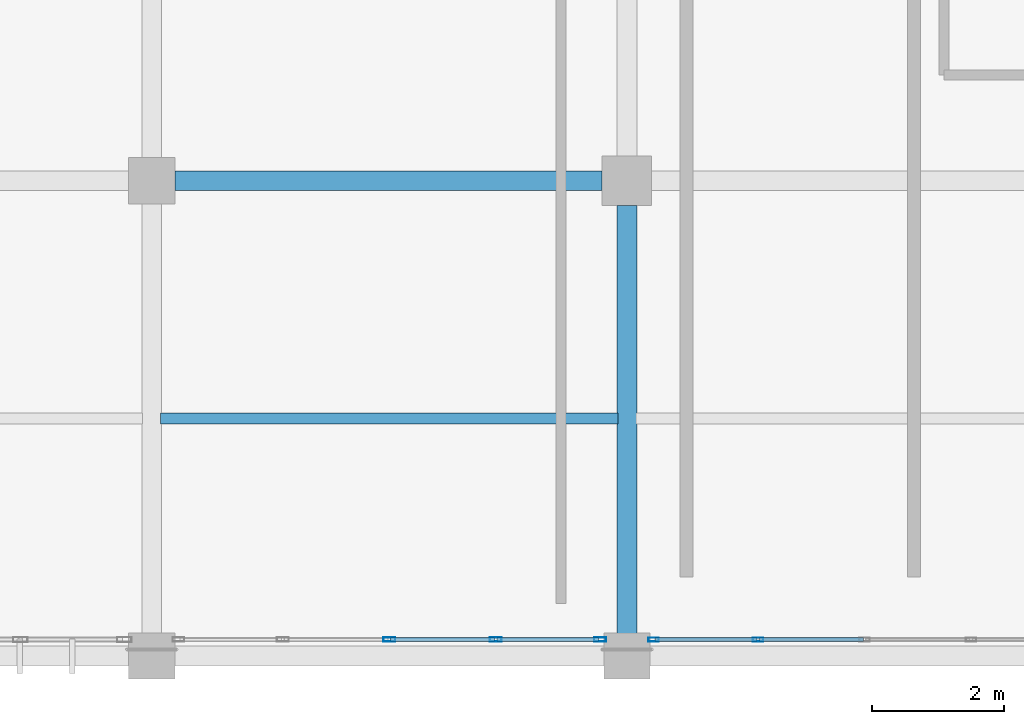
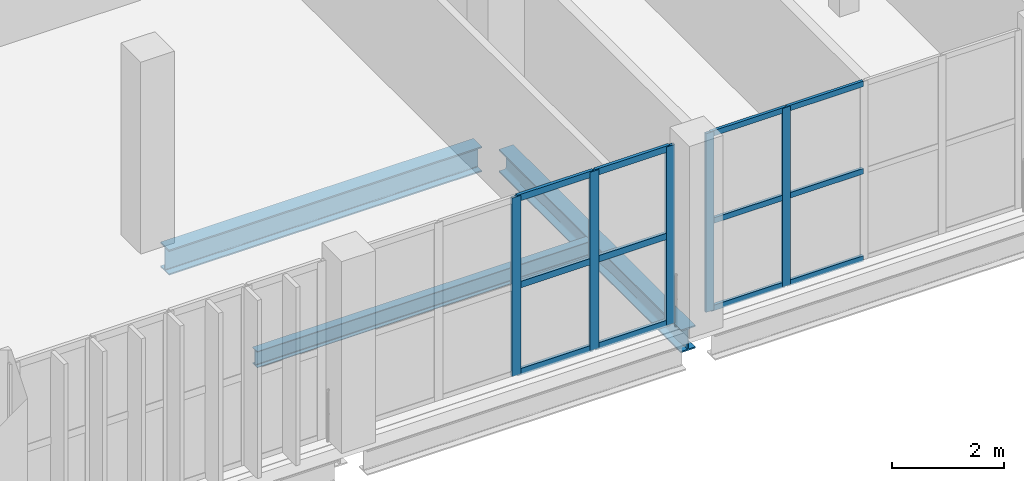
# One storey, part 39 of 130: 17 members, 3 beams, 2 elements without a shape of their own.
"""IFC4 building model written with IfcOpenShell, lengths in metres."""

from ifc_helpers import new_model, si_unit, direction, frame, origin, origin_2d, place, context, subcontext, project, spatial, hollow_rectangle, i_section, extrude, material, material_profile, profile_set, type_object, element, aggregate, save


model = new_model("IFC4")

# Units and contexts
model_context = context("Model", 3, precision=1e-05, world=origin(), true_north=direction((0.0, 1.0)))
body_context = subcontext(model_context, "Body", "Model", "MODEL_VIEW")
ifc_project = project(units=[si_unit("LENGTHUNIT", "METRE"), si_unit("AREAUNIT", "SQUARE_METRE"), si_unit("VOLUMEUNIT", "CUBIC_METRE"), si_unit("PLANEANGLEUNIT", "RADIAN"), si_unit("MASSUNIT", "GRAM", prefix="KILO")], contexts=[model_context])

# Site, building, storey
site_placement = place(None, origin())
site = spatial("IfcSite", under=ifc_project, at=site_placement, CompositionType="ELEMENT")
building_placement = place(site_placement, origin())
building = spatial("IfcBuilding", under=site, at=building_placement, Name="Qandorah Velis Arena", CompositionType="ELEMENT")
storey_placement = place(building_placement, frame((0.0, 0.0, 9.60009765625)))
storey = spatial("IfcBuildingStorey", under=building, at=storey_placement, Name="L02", CompositionType="ELEMENT", Elevation=9.60009765625)

# Curtain wall, members
ifc_material_1 = material(Name="Solar-control low-E double glazing", Category="glass")
curtain_wall_type_1 = type_object("IfcCurtainWallType", Name="ARC-CW-SYS19", PredefinedType="USERDEFINED", material=ifc_material_1)
curtain_wall_1_placement = place(storey_placement, origin())
curtain_wall_1 = element("IfcCurtainWall", 1, at=curtain_wall_1_placement, inside=storey, type_object=curtain_wall_type_1, Name="Unitised curtain wall L02-067", ObjectType="UNITISED CURTAIN WALL", PredefinedType="USERDEFINED")
ifc_material_2 = material(Name="Champagne-bronze anodized aluminium 6063-T6", Category="aluminium")
ifc_material_profile_1 = material_profile(ifc_material_2, hollow_rectangle(XDim=0.06005859375, YDim=0.159912109375, WallThickness=0.00341796875, at=origin_2d()), Name="ALU MULLION 60x160")
ifc_profile_set_1 = profile_set([ifc_material_profile_1], Name="Champagne-bronze anodized aluminium 6063-T6")
member_type_1 = type_object("IfcMemberType", Name="ARC-CWM-160", PredefinedType="MULLION", material=ifc_profile_set_1)
member_1_placement = place(storey_placement, frame((101.205078125, 0.25, -0.01513671875), z_axis=(0.0, 0.0, 1.0), x_axis=(0.0, 1.0, 0.0)))
member_1 = element("IfcMember", 2, at=member_1_placement, type_object=member_type_1, Name="CW19 mullion 1", PredefinedType="MULLION", context=body_context, shape_type="SweptSolid", body=[
    extrude(hollow_rectangle(XDim=0.06005859375, YDim=0.159912109375, WallThickness=0.00341796875, at=origin_2d()), origin(), (0.0, 0.0, 1.0), 3.91015625),
])
member_2_placement = place(storey_placement, frame((102.78759765625, 0.25, -0.01513671875), z_axis=(0.0, 0.0, 1.0), x_axis=(0.0, 1.0, 0.0)))
member_2 = element("IfcMember", 3, at=member_2_placement, type_object=member_type_1, Name="CW19 mullion 2", PredefinedType="MULLION", context=body_context, shape_type="SweptSolid", body=[
    extrude(hollow_rectangle(XDim=0.06005859375, YDim=0.159912109375, WallThickness=0.00341796875, at=origin_2d()), origin(), (0.0, 0.0, 1.0), 3.91015625),
])

curtain_wall_type_2 = type_object("IfcCurtainWallType", Name="ARC-CW-SYS18", PredefinedType="USERDEFINED", material=ifc_material_1)
curtain_wall_2_placement = place(storey_placement, origin())
curtain_wall_2 = element("IfcCurtainWall", 4, at=curtain_wall_2_placement, inside=storey, type_object=curtain_wall_type_2, Name="Unitised curtain wall L02-066", ObjectType="UNITISED CURTAIN WALL", PredefinedType="USERDEFINED")
ifc_material_profile_2 = material_profile(ifc_material_2, hollow_rectangle(XDim=0.06494140625, YDim=0.179931640625, WallThickness=0.00341796875, at=origin_2d()), Name="ALU MULLION 65x180")
ifc_profile_set_2 = profile_set([ifc_material_profile_2], Name="Champagne-bronze anodized aluminium 6063-T6")
member_type_2 = type_object("IfcMemberType", Name="ARC-CWM-180", PredefinedType="MULLION", material=ifc_profile_set_2)
member_3_placement = place(storey_placement, frame((97.199951171875, 0.25, -0.01513671875), z_axis=(0.0, 0.0, 1.0), x_axis=(0.0, 1.0, 0.0)))
member_3 = element("IfcMember", 5, at=member_3_placement, type_object=member_type_2, Name="CW18 mullion 3", PredefinedType="MULLION", context=body_context, shape_type="SweptSolid", body=[
    extrude(hollow_rectangle(XDim=0.06494140625, YDim=0.179931640625, WallThickness=0.00341796875, at=origin_2d()), origin(), (0.0, 0.0, 1.0), 3.91015625),
])
member_4_placement = place(storey_placement, frame((98.8125, 0.25, -0.01513671875), z_axis=(0.0, 0.0, 1.0), x_axis=(0.0, 1.0, 0.0)))
member_4 = element("IfcMember", 6, at=member_4_placement, type_object=member_type_2, Name="CW18 mullion 4", PredefinedType="MULLION", context=body_context, shape_type="SweptSolid", body=[
    extrude(hollow_rectangle(XDim=0.06494140625, YDim=0.179931640625, WallThickness=0.00341796875, at=origin_2d()), origin(), (0.0, 0.0, 1.0), 3.91015625),
])
member_5_placement = place(storey_placement, frame((100.392578125, 0.25, -0.01513671875), z_axis=(0.0, 0.0, 1.0), x_axis=(0.0, 1.0, 0.0)))
member_5 = element("IfcMember", 7, at=member_5_placement, type_object=member_type_2, Name="CW18 mullion 5", PredefinedType="MULLION", context=body_context, shape_type="SweptSolid", body=[
    extrude(hollow_rectangle(XDim=0.06494140625, YDim=0.179931640625, WallThickness=0.00341796875, at=origin_2d()), origin(), (0.0, 0.0, 1.0), 3.91015625),
])

# Member
ifc_material_profile_3 = material_profile(ifc_material_2, hollow_rectangle(XDim=0.06005859375, YDim=0.1201171875, WallThickness=0.0029296875, at=origin_2d()), Name="ALU TRANSOM 60x120")
ifc_profile_set_3 = profile_set([ifc_material_profile_3], Name="Champagne-bronze anodized aluminium 6063-T6")
member_type_3 = type_object("IfcMemberType", Name="ARC-CWT-120", PredefinedType="USERDEFINED", material=ifc_profile_set_3)
member_6_placement = place(storey_placement, frame((101.222900390625, 0.25, 0.02978515625), z_axis=(1.0, 0.0, 0.0), x_axis=(0.0, 1.0, 0.0)))
member_6 = element("IfcMember", 8, at=member_6_placement, type_object=member_type_3, Name="CW19 transom 1.1", ObjectType="TRANSOM", PredefinedType="USERDEFINED", context=body_context, shape_type="SweptSolid", body=[
    extrude(hollow_rectangle(XDim=0.06005859375, YDim=0.1201171875, WallThickness=0.0029296875, at=origin_2d()), origin(), (0.0, 0.0, 1.0), 1.546630859375),
])

member_7_placement = place(storey_placement, frame((101.222900390625, 0.25, 1.93994140625), z_axis=(1.0, 0.0, 0.0), x_axis=(0.0, 1.0, 0.0)))
member_7 = element("IfcMember", 9, at=member_7_placement, type_object=member_type_3, Name="CW19 transom 1.2", ObjectType="TRANSOM", PredefinedType="USERDEFINED", context=body_context, shape_type="SweptSolid", body=[
    extrude(hollow_rectangle(XDim=0.06005859375, YDim=0.1201171875, WallThickness=0.0029296875, at=origin_2d()), origin(), (0.0, 0.0, 1.0), 1.546630859375),
])

member_8_placement = place(storey_placement, frame((101.222900390625, 0.25, 3.849853515625), z_axis=(1.0, 0.0, 0.0), x_axis=(0.0, 1.0, 0.0)))
member_8 = element("IfcMember", 10, at=member_8_placement, type_object=member_type_3, Name="CW19 transom 1.3", ObjectType="TRANSOM", PredefinedType="USERDEFINED", context=body_context, shape_type="SweptSolid", body=[
    extrude(hollow_rectangle(XDim=0.06005859375, YDim=0.1201171875, WallThickness=0.0029296875, at=origin_2d()), origin(), (0.0, 0.0, 1.0), 1.546630859375),
])

member_9_placement = place(storey_placement, frame((102.805419921875, 0.25, 0.02978515625), z_axis=(1.0, 0.0, 0.0), x_axis=(0.0, 1.0, 0.0)))
member_9 = element("IfcMember", 11, at=member_9_placement, type_object=member_type_3, Name="CW19 transom 2.1", ObjectType="TRANSOM", PredefinedType="USERDEFINED", context=body_context, shape_type="SweptSolid", body=[
    extrude(hollow_rectangle(XDim=0.06005859375, YDim=0.1201171875, WallThickness=0.0029296875, at=origin_2d()), origin(), (0.0, 0.0, 1.0), 1.57666015625),
])

member_10_placement = place(storey_placement, frame((102.805419921875, 0.25, 1.93994140625), z_axis=(1.0, 0.0, 0.0), x_axis=(0.0, 1.0, 0.0)))
member_10 = element("IfcMember", 12, at=member_10_placement, type_object=member_type_3, Name="CW19 transom 2.2", ObjectType="TRANSOM", PredefinedType="USERDEFINED", context=body_context, shape_type="SweptSolid", body=[
    extrude(hollow_rectangle(XDim=0.06005859375, YDim=0.1201171875, WallThickness=0.0029296875, at=origin_2d()), origin(), (0.0, 0.0, 1.0), 1.57666015625),
])

member_11_placement = place(storey_placement, frame((102.805419921875, 0.25, 3.849853515625), z_axis=(1.0, 0.0, 0.0), x_axis=(0.0, 1.0, 0.0)))
member_11 = element("IfcMember", 13, at=member_11_placement, type_object=member_type_3, Name="CW19 transom 2.3", ObjectType="TRANSOM", PredefinedType="USERDEFINED", context=body_context, shape_type="SweptSolid", body=[
    extrude(hollow_rectangle(XDim=0.06005859375, YDim=0.1201171875, WallThickness=0.0029296875, at=origin_2d()), origin(), (0.0, 0.0, 1.0), 1.57666015625),
])

aggregate(curtain_wall_1, [member_1, member_2, member_6, member_7, member_8, member_9, member_10, member_11])

ifc_material_profile_4 = material_profile(ifc_material_2, hollow_rectangle(XDim=0.06494140625, YDim=0.139892578125, WallThickness=0.0029296875, at=origin_2d()), Name="ALU TRANSOM 65x140")
ifc_profile_set_4 = profile_set([ifc_material_profile_4], Name="Champagne-bronze anodized aluminium 6063-T6")
member_type_4 = type_object("IfcMemberType", Name="ARC-CWT-140", PredefinedType="USERDEFINED", material=ifc_profile_set_4)
member_12_placement = place(storey_placement, frame((97.220458984375, 0.25, 0.032470703125), z_axis=(1.0, 0.0, 0.0), x_axis=(0.0, 1.0, 0.0)))
member_12 = element("IfcMember", 14, at=member_12_placement, type_object=member_type_4, Name="CW18 transom 3.1", ObjectType="TRANSOM", PredefinedType="USERDEFINED", context=body_context, shape_type="SweptSolid", body=[
    extrude(hollow_rectangle(XDim=0.06494140625, YDim=0.139892578125, WallThickness=0.0029296875, at=origin_2d()), origin(), (0.0, 0.0, 1.0), 1.571533203125),
])

member_13_placement = place(storey_placement, frame((97.220458984375, 0.25, 1.93994140625), z_axis=(1.0, 0.0, 0.0), x_axis=(0.0, 1.0, 0.0)))
member_13 = element("IfcMember", 15, at=member_13_placement, type_object=member_type_4, Name="CW18 transom 3.2", ObjectType="TRANSOM", PredefinedType="USERDEFINED", context=body_context, shape_type="SweptSolid", body=[
    extrude(hollow_rectangle(XDim=0.06494140625, YDim=0.139892578125, WallThickness=0.0029296875, at=origin_2d()), origin(), (0.0, 0.0, 1.0), 1.571533203125),
])

member_14_placement = place(storey_placement, frame((97.220458984375, 0.25, 3.847412109375), z_axis=(1.0, 0.0, 0.0), x_axis=(0.0, 1.0, 0.0)))
member_14 = element("IfcMember", 16, at=member_14_placement, type_object=member_type_4, Name="CW18 transom 3.3", ObjectType="TRANSOM", PredefinedType="USERDEFINED", context=body_context, shape_type="SweptSolid", body=[
    extrude(hollow_rectangle(XDim=0.06494140625, YDim=0.139892578125, WallThickness=0.0029296875, at=origin_2d()), origin(), (0.0, 0.0, 1.0), 1.571533203125),
])

member_15_placement = place(storey_placement, frame((98.8330078125, 0.25, 0.032470703125), z_axis=(1.0, 0.0, 0.0), x_axis=(0.0, 1.0, 0.0)))
member_15 = element("IfcMember", 17, at=member_15_placement, type_object=member_type_4, Name="CW18 transom 4.1", ObjectType="TRANSOM", PredefinedType="USERDEFINED", context=body_context, shape_type="SweptSolid", body=[
    extrude(hollow_rectangle(XDim=0.06494140625, YDim=0.139892578125, WallThickness=0.0029296875, at=origin_2d()), origin(), (0.0, 0.0, 1.0), 1.5390625),
])

member_16_placement = place(storey_placement, frame((98.8330078125, 0.25, 1.93994140625), z_axis=(1.0, 0.0, 0.0), x_axis=(0.0, 1.0, 0.0)))
member_16 = element("IfcMember", 18, at=member_16_placement, type_object=member_type_4, Name="CW18 transom 4.2", ObjectType="TRANSOM", PredefinedType="USERDEFINED", context=body_context, shape_type="SweptSolid", body=[
    extrude(hollow_rectangle(XDim=0.06494140625, YDim=0.139892578125, WallThickness=0.0029296875, at=origin_2d()), origin(), (0.0, 0.0, 1.0), 1.5390625),
])

member_17_placement = place(storey_placement, frame((98.8330078125, 0.25, 3.847412109375), z_axis=(1.0, 0.0, 0.0), x_axis=(0.0, 1.0, 0.0)))
member_17 = element("IfcMember", 19, at=member_17_placement, type_object=member_type_4, Name="CW18 transom 4.3", ObjectType="TRANSOM", PredefinedType="USERDEFINED", context=body_context, shape_type="SweptSolid", body=[
    extrude(hollow_rectangle(XDim=0.06494140625, YDim=0.139892578125, WallThickness=0.0029296875, at=origin_2d()), origin(), (0.0, 0.0, 1.0), 1.5390625),
])

aggregate(curtain_wall_2, [member_3, member_4, member_5, member_12, member_13, member_14, member_15, member_16, member_17])

# Beams
ifc_material_3 = material(Name="Steel S355", Category="steel")
ifc_material_profile_5 = material_profile(ifc_material_3, i_section(OverallWidth=0.300048828125, OverallDepth=0.5, WebThickness=0.014404296875, FlangeThickness=0.028076171875, FilletRadius=0.027099609375, at=origin_2d()), Name="HEB 500")
ifc_profile_set_5 = profile_set([ifc_material_profile_5], Name="Steel S355")
beam_type_1 = type_object("IfcBeamType", Name="STR-BM-HEB500", PredefinedType="BEAM", material=ifc_profile_set_5)
beam_1_placement = place(storey_placement, frame((100.800048828125, 0.300048828125, -0.530029296875), z_axis=(0.0, 1.0, 0.0), x_axis=(-1.0, 0.0, 0.0)))
element("IfcBeam", 20, at=beam_1_placement, inside=storey, type_object=beam_type_1, Name="Primary floor girder L02 Y-284", PredefinedType="BEAM", context=body_context, shape_type="SweptSolid", body=[
    extrude(i_section(OverallWidth=0.300048828125, OverallDepth=0.5, WebThickness=0.014404296875, FlangeThickness=0.028076171875, FilletRadius=0.027099609375, at=origin_2d()), origin(), (0.0, 0.0, 1.0), 6.52490234375),
])
ifc_material_profile_6 = material_profile(ifc_material_3, i_section(OverallWidth=0.300048828125, OverallDepth=0.550048828125, WebThickness=0.014892578125, FlangeThickness=0.029052734375, FilletRadius=0.027099609375, at=origin_2d()), Name="HEB 550")
ifc_profile_set_6 = profile_set([ifc_material_profile_6], Name="Steel S355")
beam_type_2 = type_object("IfcBeamType", Name="STR-BM-HEB550", PredefinedType="BEAM", material=ifc_profile_set_6)
beam_2_placement = place(storey_placement, frame((93.949951171875, 7.199951171875, -0.55517578125), z_axis=(1.0, 0.0, 0.0), x_axis=(0.0, 1.0, 0.0)))
element("IfcBeam", 21, at=beam_2_placement, inside=storey, type_object=beam_type_2, Name="Primary floor girder L02 X-022", PredefinedType="BEAM", context=body_context, shape_type="SweptSolid", body=[
    extrude(i_section(OverallWidth=0.300048828125, OverallDepth=0.550048828125, WebThickness=0.014892578125, FlangeThickness=0.029052734375, FilletRadius=0.027099609375, at=origin_2d()), origin(), (0.0, 0.0, 1.0), 6.47509765625),
])
ifc_material_profile_7 = material_profile(ifc_material_3, i_section(OverallWidth=0.169921875, OverallDepth=0.360107421875, WebThickness=0.008056640625, FlangeThickness=0.0126953125, FilletRadius=0.01806640625, at=origin_2d()), Name="IPE 360")
ifc_profile_set_7 = profile_set([ifc_material_profile_7], Name="Steel S355")
beam_type_3 = type_object("IfcBeamType", Name="STR-JST-IPE360", PredefinedType="JOIST", material=ifc_profile_set_7)
beam_3_placement = place(storey_placement, frame((93.735107421875, 3.60009765625, -0.460205078125), z_axis=(1.0, 0.0, 0.0), x_axis=(0.0, 1.0, 0.0)))
element("IfcBeam", 22, at=beam_3_placement, inside=storey, type_object=beam_type_3, Name="Secondary floor joist L02-067", PredefinedType="JOIST", context=body_context, shape_type="SweptSolid", body=[
    extrude(i_section(OverallWidth=0.169921875, OverallDepth=0.360107421875, WebThickness=0.008056640625, FlangeThickness=0.0126953125, FilletRadius=0.01806640625, at=origin_2d()), origin(), (0.0, 0.0, 1.0), 6.929931640625),
])

save(model, "model.ifc")
